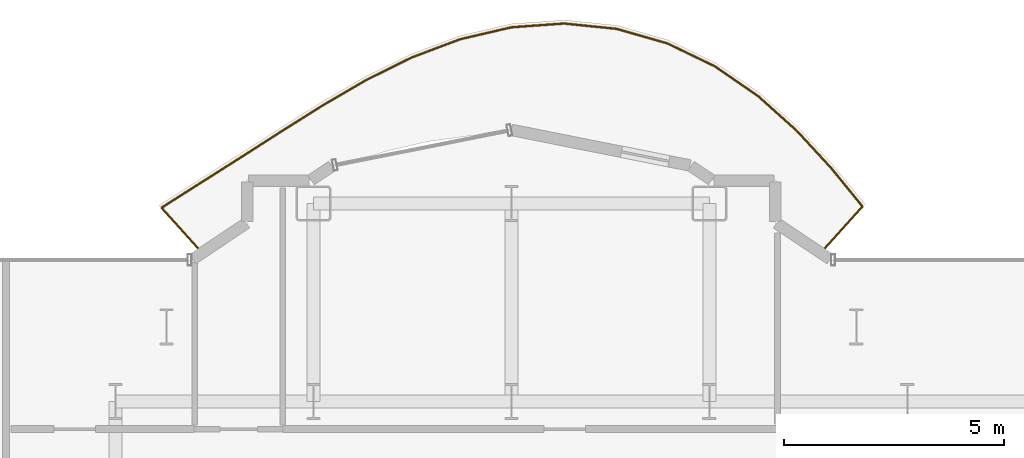
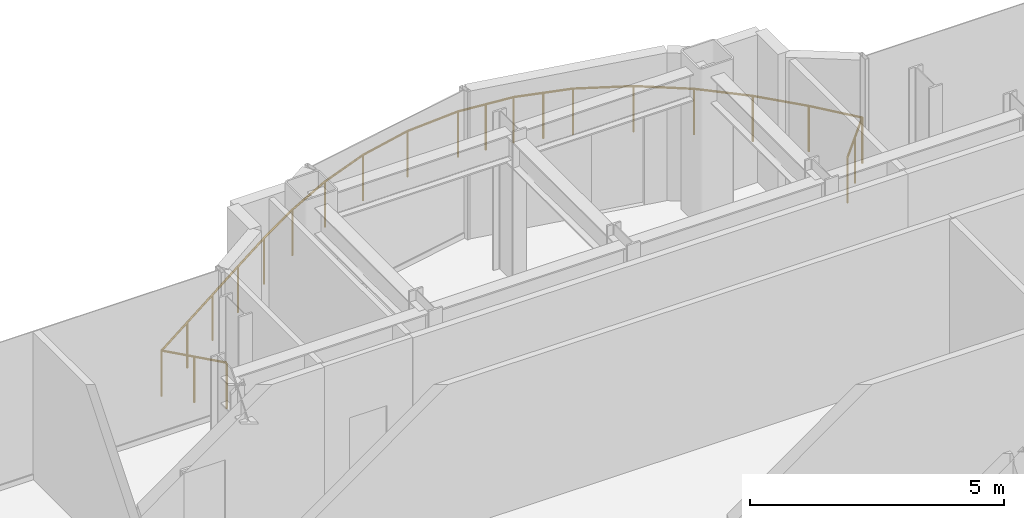
# One storey, part 25 of 25: 1 railing.
"""IFC4 building model written with IfcOpenShell, lengths in metres."""

from ifc_helpers import new_model, si_unit, direction, frame, origin, origin_2d, place, context, subcontext, project, spatial, circle, extrude, material, type_object, element, save


model = new_model("IFC4")

# Units and contexts
model_context = context("Model", 3, precision=1e-05, world=origin(), true_north=direction((0.0, 1.0)))
body_context = subcontext(model_context, "Body", "Model", "MODEL_VIEW")
ifc_project = project(units=[si_unit("LENGTHUNIT", "METRE"), si_unit("AREAUNIT", "SQUARE_METRE"), si_unit("VOLUMEUNIT", "CUBIC_METRE"), si_unit("PLANEANGLEUNIT", "RADIAN"), si_unit("MASSUNIT", "GRAM", prefix="KILO")], contexts=[model_context])

# Site, building, storey
site_placement = place(None, origin())
site = spatial("IfcSite", under=ifc_project, at=site_placement, CompositionType="ELEMENT")
building_placement = place(site_placement, origin())
building = spatial("IfcBuilding", under=site, at=building_placement, Name="Nefas-Gora Pilgrimage Tower", CompositionType="ELEMENT")
storey_placement = place(building_placement, frame((0.0, 0.0, 194.39990234375)))
storey = spatial("IfcBuildingStorey", under=building, at=storey_placement, Name="L48", CompositionType="ELEMENT", Elevation=194.39990234375)

# Railing
ifc_material = material(Name="Laminated safety glass and stainless steel", Category="steel")
railing_type = type_object("IfcRailingType", Name="RLG-BAL-1100", PredefinedType="BALUSTRADE", material=ifc_material)
railing_placement = place(storey_placement, frame((4.802490234375, 21.402587890625, 0.0)))
element("IfcRailing", 1, at=railing_placement, inside=storey, type_object=railing_type, Name="L48 Wave Balcony Balustrade N1", PredefinedType="BALUSTRADE", context=body_context, shape_type="SweptSolid", body=[
    extrude(circle(Radius=0.02392578125, at=origin_2d()), frame((0.0, 0.0, 1.09619140625), z_axis=(0.669217868333, 0.743066245165, 0.0), x_axis=(-0.743066245165, 0.669217868333, 0.0)), (0.0, 0.0, 1.0), 1.38525390625),
    extrude(circle(Radius=0.02392578125, at=origin_2d()), frame((0.927001953125, 1.029296875, 1.09619140625), z_axis=(-0.631629482569, 0.775270402343, 0.0), x_axis=(-0.775270402343, -0.631629482569, 0.0)), (0.0, 0.0, 1.0), 1.125244140625),
    extrude(circle(Radius=0.02392578125, at=origin_2d()), frame((0.21630859375, 1.901611328125, 1.09619140625), z_axis=(-0.677893838632, 0.735159808167, 0.0), x_axis=(-0.735159808167, -0.677893838632, 0.0)), (0.0, 0.0, 1.0), 1.1552734375),
    extrude(circle(Radius=0.02392578125, at=origin_2d()), frame((-0.56689453125, 2.7509765625, 1.09619140625), z_axis=(-0.744856770075, 0.667224394094, 0.0), x_axis=(-0.667224394094, -0.744856770075, 0.0)), (0.0, 0.0, 1.0), 1.17919921875),
    extrude(circle(Radius=0.02392578125, at=origin_2d()), frame((-1.4453125, 3.537841796875, 1.09619140625), z_axis=(-0.823486360046, 0.567336068673, 0.0), x_axis=(-0.567336068673, -0.823486360046, 0.0)), (0.0, 0.0, 1.0), 1.193359375),
    extrude(circle(Radius=0.02392578125, at=origin_2d()), frame((-2.427978515625, 4.21484375, 1.09619140625), z_axis=(-0.900372884274, 0.435119143757, 0.0), x_axis=(-0.435119143757, -0.900372884274, 0.0)), (0.0, 0.0, 1.0), 1.198974609375),
    extrude(circle(Radius=0.02392578125, at=origin_2d()), frame((-3.507568359375, 4.736572265625, 1.09619140625), z_axis=(-0.96128569357, 0.275553652377, 0.0), x_axis=(-0.275553652377, -0.96128569357, 0.0)), (0.0, 0.0, 1.0), 1.200439453125),
    extrude(circle(Radius=0.02392578125, at=origin_2d()), frame((-4.66162109375, 5.0673828125, 1.09619140625), z_axis=(-0.994878893823, 0.101074163988, 0.0), x_axis=(-0.101074163988, -0.994878893823, 0.0)), (0.0, 0.0, 1.0), 1.200439453125),
    extrude(circle(Radius=0.02392578125, at=origin_2d()), frame((-5.85595703125, 5.188720703125, 1.09619140625), z_axis=(-0.997416168119, -0.071840013741, 0.0), x_axis=(0.071840013741, -0.997416168119, 0.0)), (0.0, 0.0, 1.0), 1.19970703125),
    extrude(circle(Radius=0.02392578125, at=origin_2d()), frame((-7.052490234375, 5.1025390625, 1.09619140625), z_axis=(-0.973990202432, -0.226590126809, 0.0), x_axis=(0.226590126809, -0.973990202432, 0.0)), (0.0, 0.0, 1.0), 1.19482421875),
    extrude(circle(Radius=0.02392578125, at=origin_2d()), frame((-8.21630859375, 4.831787109375, 1.09619140625), z_axis=(-0.935793373768, -0.352548949243, 0.0), x_axis=(0.352548949243, -0.935793373768, 0.0)), (0.0, 0.0, 1.0), 1.18212890625),
    extrude(circle(Radius=0.02392578125, at=origin_2d()), frame((-9.322509765625, 4.4150390625, 1.09619140625), z_axis=(-0.895603061992, -0.444854083213, 0.0), x_axis=(0.444854083213, -0.895603061992, 0.0)), (0.0, 0.0, 1.0), 1.15966796875),
    extrude(circle(Radius=0.02392578125, at=origin_2d()), frame((-10.361083984375, 3.899169921875, 1.09619140625), z_axis=(-0.863943403334, -0.503588915522, 0.0), x_axis=(0.503588915522, -0.863943403334, 0.0)), (0.0, 0.0, 1.0), 1.130126953125),
    extrude(circle(Radius=0.02392578125, at=origin_2d()), frame((-11.33740234375, 3.330078125, 1.09619140625), z_axis=(-0.846310667587, -0.532689641282, 0.0), x_axis=(0.532689641282, -0.846310667587, 0.0)), (0.0, 0.0, 1.0), 1.099853515625),
    extrude(circle(Radius=0.02392578125, at=origin_2d()), frame((-12.268310546875, 2.744140625, 1.09619140625), z_axis=(-0.841971362418, -0.539522219067, 0.0), x_axis=(0.539522219067, -0.841971362418, 0.0)), (0.0, 0.0, 1.0), 1.079345703125),
    extrude(circle(Radius=0.02392578125, at=origin_2d()), frame((-13.177001953125, 2.161865234375, 1.09619140625), z_axis=(-0.844473528243, -0.535597292839, 0.0), x_axis=(0.535597292839, -0.844473528243, 0.0)), (0.0, 0.0, 1.0), 1.07568359375),
    extrude(circle(Radius=0.02392578125, at=origin_2d()), frame((-14.08544921875, 1.585693359375, 1.09619140625), z_axis=(-0.843707572313, -0.536803066704, 0.0), x_axis=(0.536803066704, -0.843707572313, 0.0)), (0.0, 0.0, 1.0), 1.090576171875),
    extrude(circle(Radius=0.02392578125, at=origin_2d()), frame((-15.005615234375, 1.000244140625, 1.09619140625), z_axis=(0.669135077133, -0.74314079995, 0.0), x_axis=(0.74314079995, 0.669135077133, 0.0)), (0.0, 0.0, 1.0), 1.345947265625),
    extrude(circle(Radius=0.02099609375, at=origin_2d()), origin(), (0.0, 0.0, 1.0), 1.072021484375),
    extrude(circle(Radius=0.02099609375, at=origin_2d()), frame((0.46337890625, 0.5146484375, 0.0)), (0.0, 0.0, 1.0), 1.072021484375),
    extrude(circle(Radius=0.02099609375, at=origin_2d()), frame((0.927001953125, 1.029296875, 0.0)), (0.0, 0.0, 1.0), 1.072021484375),
    extrude(circle(Radius=0.02099609375, at=origin_2d()), frame((0.21630859375, 1.901611328125, 0.0)), (0.0, 0.0, 1.0), 1.072021484375),
    extrude(circle(Radius=0.02099609375, at=origin_2d()), frame((-0.56689453125, 2.7509765625, 0.0)), (0.0, 0.0, 1.0), 1.072021484375),
    extrude(circle(Radius=0.02099609375, at=origin_2d()), frame((-1.4453125, 3.537841796875, 0.0)), (0.0, 0.0, 1.0), 1.072021484375),
    extrude(circle(Radius=0.02099609375, at=origin_2d()), frame((-2.427978515625, 4.21484375, 0.0)), (0.0, 0.0, 1.0), 1.072021484375),
    extrude(circle(Radius=0.02099609375, at=origin_2d()), frame((-3.507568359375, 4.736572265625, 0.0)), (0.0, 0.0, 1.0), 1.072021484375),
    extrude(circle(Radius=0.02099609375, at=origin_2d()), frame((-4.08447265625, 4.90185546875, 0.0)), (0.0, 0.0, 1.0), 1.072021484375),
    extrude(circle(Radius=0.02099609375, at=origin_2d()), frame((-4.66162109375, 5.0673828125, 0.0)), (0.0, 0.0, 1.0), 1.072021484375),
    extrude(circle(Radius=0.02099609375, at=origin_2d()), frame((-5.2587890625, 5.1279296875, 0.0)), (0.0, 0.0, 1.0), 1.072021484375),
    extrude(circle(Radius=0.02099609375, at=origin_2d()), frame((-5.85595703125, 5.188720703125, 0.0)), (0.0, 0.0, 1.0), 1.072021484375),
    extrude(circle(Radius=0.02099609375, at=origin_2d()), frame((-7.052490234375, 5.1025390625, 0.0)), (0.0, 0.0, 1.0), 1.072021484375),
    extrude(circle(Radius=0.02099609375, at=origin_2d()), frame((-8.21630859375, 4.831787109375, 0.0)), (0.0, 0.0, 1.0), 1.072021484375),
    extrude(circle(Radius=0.02099609375, at=origin_2d()), frame((-9.322509765625, 4.4150390625, 0.0)), (0.0, 0.0, 1.0), 1.072021484375),
    extrude(circle(Radius=0.02099609375, at=origin_2d()), frame((-10.361083984375, 3.899169921875, 0.0)), (0.0, 0.0, 1.0), 1.072021484375),
    extrude(circle(Radius=0.02099609375, at=origin_2d()), frame((-11.33740234375, 3.330078125, 0.0)), (0.0, 0.0, 1.0), 1.072021484375),
    extrude(circle(Radius=0.02099609375, at=origin_2d()), frame((-12.268310546875, 2.744140625, 0.0)), (0.0, 0.0, 1.0), 1.072021484375),
    extrude(circle(Radius=0.02099609375, at=origin_2d()), frame((-13.177001953125, 2.161865234375, 0.0)), (0.0, 0.0, 1.0), 1.072021484375),
    extrude(circle(Radius=0.02099609375, at=origin_2d()), frame((-14.08544921875, 1.585693359375, 0.0)), (0.0, 0.0, 1.0), 1.072021484375),
    extrude(circle(Radius=0.02099609375, at=origin_2d()), frame((-15.005615234375, 1.000244140625, 0.0)), (0.0, 0.0, 1.0), 1.072021484375),
    extrude(circle(Radius=0.02099609375, at=origin_2d()), frame((-14.55517578125, 0.5, 0.0)), (0.0, 0.0, 1.0), 1.072021484375),
    extrude(circle(Radius=0.02099609375, at=origin_2d()), frame((-14.10498046875, 0.0, 0.0)), (0.0, 0.0, 1.0), 1.072021484375),
])

save(model, "model.ifc")
